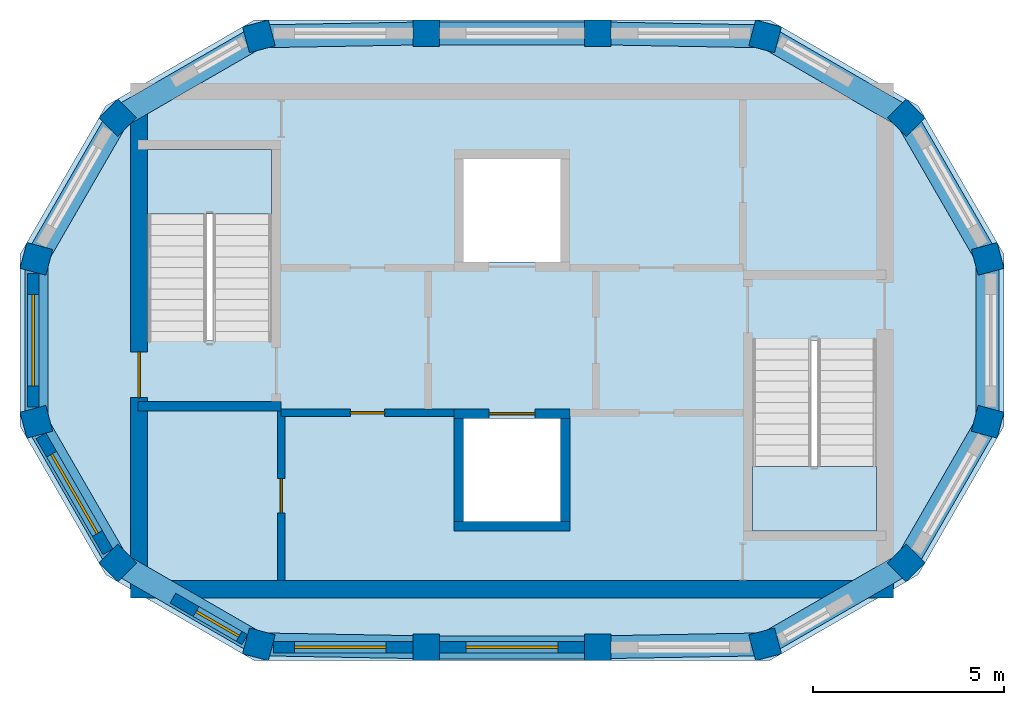
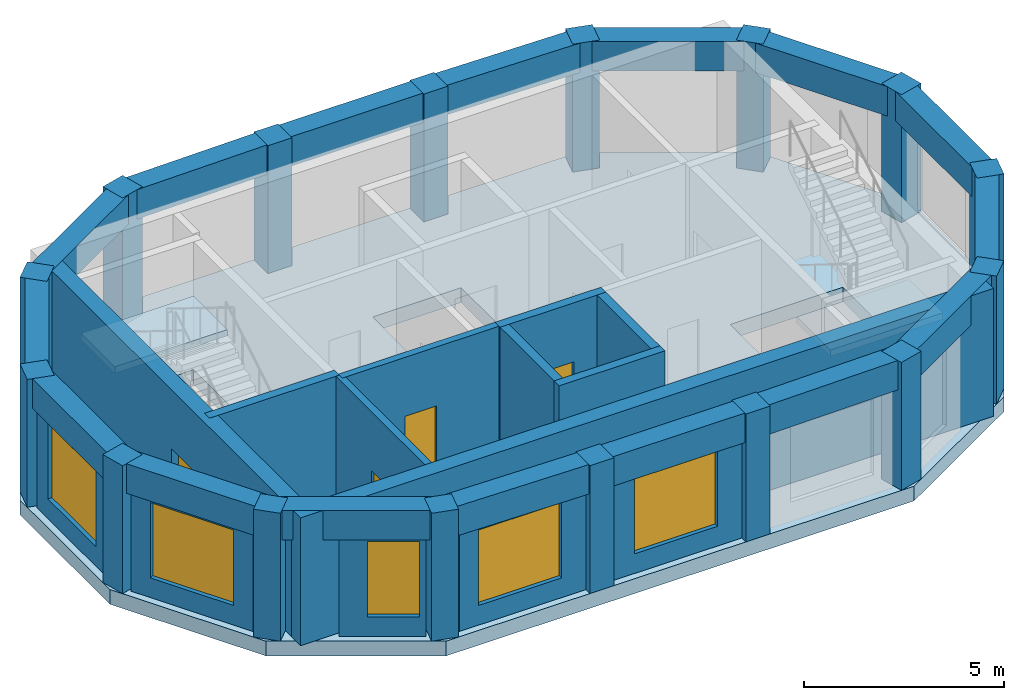
# One storey, part 1 of 4: 16 beams, 16 columns, 14 walls, 5 windows, 4 doors, 3 slabs, 9 openings, 2 elements without a shape of their own.
"""IFC4 building model written with IfcOpenShell, lengths in metres."""

from ifc_helpers import new_model, si_unit, direction, frame, frame_2d, origin, origin_2d, place, context, subcontext, project, spatial, polyline, rectangle, outline, extrude, material, layer, layer_set, material_profile, profile_set, type_object, element, fill, aggregate, save


model = new_model("IFC4")

# Units and contexts
model_context = context("Model", 3, precision=1e-05, world=origin(), true_north=direction((0.0, 1.0)))
body_context = subcontext(model_context, "Body", "Model", "MODEL_VIEW")
ifc_project = project(units=[si_unit("LENGTHUNIT", "METRE"), si_unit("AREAUNIT", "SQUARE_METRE"), si_unit("VOLUMEUNIT", "CUBIC_METRE"), si_unit("PLANEANGLEUNIT", "RADIAN"), si_unit("MASSUNIT", "GRAM", prefix="KILO")], contexts=[model_context])

# Site, building, storey
site_placement = place(None, origin())
site = spatial("IfcSite", under=ifc_project, at=site_placement, CompositionType="ELEMENT")
building_placement = place(site_placement, origin())
building = spatial("IfcBuilding", under=site, at=building_placement, Name="Dhurran Vertical Campus", CompositionType="ELEMENT")
storey_placement = place(building_placement, frame((0.0, 0.0, 336.89990234375)))
storey = spatial("IfcBuildingStorey", under=building, at=storey_placement, Name="L82 Plant", CompositionType="ELEMENT", Elevation=336.89990234375)

# Columns
ifc_material_1 = material(Name="Concrete C50/60", Category="concrete")
ifc_material_profile_1 = material_profile(ifc_material_1, rectangle(XDim=0.699951171875, YDim=0.699951171875, at=origin_2d()), Name="cr/col/R3")
ifc_profile_set_1 = profile_set([ifc_material_profile_1], Name="Concrete C50/60")
column_type = type_object("IfcColumnType", Name="cr/col/R3", PredefinedType="COLUMN", material=ifc_profile_set_1)
for number, where, z_axis, x_axis, name in (
    (1, (-6.635009765625, -7.968505859375, 0.0), (0.0, 0.0, 1.0), (0.965925826289, -0.258819045103, 0.0), "Crown column L82 1"),
    (2, (-2.25, -8.047119140625, 0.0), (0.0, 0.0, 1.0), (1.0, 0.0, 0.0), "Crown column L82 2"),
    (3, (2.25, -8.047119140625, 0.0), (0.0, 0.0, 1.0), (1.0, 0.0, 0.0), "Crown column L82 3"),
    (4, (6.635009765625, -7.968505859375, 0.0), (0.0, 0.0, 1.0), (0.965925826289, 0.258819045103, 0.0), "Crown column L82 4"),
    (5, (10.333251953125, -5.833251953125, 0.0), (0.0, 0.0, 1.0), (0.707106781187, 0.707106781187, 0.0), "Crown column L82 5"),
    (6, (12.468505859375, -2.135009765625, 0.0), (0.0, 0.0, 1.0), (0.258819045103, 0.965925826289, 0.0), "Crown column L82 6"),
    (7, (12.468505859375, 2.135009765625, 0.0), (0.0, 0.0, 1.0), (-0.258819045103, 0.965925826289, 0.0), "Crown column L82 7"),
    (8, (10.333251953125, 5.833251953125, 0.0), (0.0, 0.0, 1.0), (-0.707106781187, 0.707106781187, 0.0), "Crown column L82 8"),
    (9, (6.635009765625, 7.968505859375, 0.0), (0.0, 0.0, 1.0), (-0.965925826289, 0.258819045103, 0.0), "Crown column L82 9"),
    (10, (2.25, 8.047119140625, 0.0), (0.0, 0.0, 1.0), (-1.0, 0.0, 0.0), "Crown column L82 10"),
    (11, (-2.25, 8.047119140625, 0.0), (0.0, 0.0, 1.0), (-1.0, 0.0, 0.0), "Crown column L82 11"),
    (12, (-6.635009765625, 7.968505859375, 0.0), (0.0, 0.0, 1.0), (-0.965925826289, -0.258819045103, 0.0), "Crown column L82 12"),
    (13, (-10.333251953125, 5.833251953125, 0.0), (0.0, 0.0, 1.0), (-0.707106781187, -0.707106781187, 0.0), "Crown column L82 13"),
    (14, (-12.468505859375, 2.135009765625, 0.0), (0.0, 0.0, 1.0), (-0.258819045103, -0.965925826289, 0.0), "Crown column L82 14"),
    (15, (-12.468505859375, -2.135009765625, 0.0), (0.0, 0.0, 1.0), (0.258819045103, -0.965925826289, 0.0), "Crown column L82 15"),
    (16, (-10.333251953125, -5.833251953125, 0.0), (0.0, 0.0, 1.0), (0.707106781187, -0.707106781187, 0.0), "Crown column L82 16"),
):
    element("IfcColumn", number, at=place(storey_placement, frame(where, z_axis=z_axis, x_axis=x_axis)), inside=storey, type_object=column_type, Name=name, PredefinedType="COLUMN", context=body_context, shape_type="SweptSolid", body=[
        extrude(rectangle(XDim=0.699951171875, YDim=0.699951171875, at=origin_2d()), origin(), (0.0, 0.0, 1.0), 3.900146484375),
    ])

# Beams
ifc_material_2 = material(Name="Concrete C40/50", Category="concrete")
ifc_material_profile_2 = material_profile(ifc_material_2, rectangle(XDim=0.60009765625, YDim=0.89990234375, at=origin_2d()), Name="cr/beam/edge")
ifc_profile_set_2 = profile_set([ifc_material_profile_2], Name="Concrete C40/50")
beam_type = type_object("IfcBeamType", Name="cr/beam/edge", PredefinedType="BEAM", material=ifc_profile_set_2)
beam_1_placement = place(storey_placement, frame((-6.635009765625, -7.968505859375, 3.4501953125), z_axis=(0.999839336934, -0.017924851984, 0.0), x_axis=(0.017924851984, 0.999839336934, 0.0)))
element("IfcBeam", 17, at=beam_1_placement, inside=storey, type_object=beam_type, Name="Crown edge beam L82 1", PredefinedType="BEAM", context=body_context, shape_type="SweptSolid", body=[
    extrude(rectangle(XDim=0.60009765625, YDim=0.89990234375, at=origin_2d()), origin(), (0.0, 0.0, 1.0), 4.3857421875),
])
beam_2_placement = place(storey_placement, frame((-2.25, -8.047119140625, 3.4501953125), z_axis=(1.0, 0.0, 0.0), x_axis=(0.0, 1.0, 0.0)))
element("IfcBeam", 18, at=beam_2_placement, inside=storey, type_object=beam_type, Name="Crown edge beam L82 2", PredefinedType="BEAM", context=body_context, shape_type="SweptSolid", body=[
    extrude(rectangle(XDim=0.60009765625, YDim=0.89990234375, at=origin_2d()), origin(), (0.0, 0.0, 1.0), 4.5),
])
beam_3_placement = place(storey_placement, frame((2.25, -8.047119140625, 3.4501953125), z_axis=(0.999839336934, 0.017924851984, 0.0), x_axis=(-0.017924851984, 0.999839336934, 0.0)))
element("IfcBeam", 19, at=beam_3_placement, inside=storey, type_object=beam_type, Name="Crown edge beam L82 3", PredefinedType="BEAM", context=body_context, shape_type="SweptSolid", body=[
    extrude(rectangle(XDim=0.60009765625, YDim=0.89990234375, at=origin_2d()), origin(), (0.0, 0.0, 1.0), 4.3857421875),
])
for number, where, z_axis, x_axis, name in (
    (20, (6.635009765625, -7.968505859375, 3.4501953125), (0.866018023513, 0.500012782786, 0.0), (-0.500012782786, 0.866018023513, 0.0), "Crown edge beam L82 4"),
    (21, (10.333251953125, -5.833251953125, 3.4501953125), (0.500012782786, 0.866018023513, 0.0), (-0.866018023513, 0.500012782786, 0.0), "Crown edge beam L82 5"),
):
    element("IfcBeam", number, at=place(storey_placement, frame(where, z_axis=z_axis, x_axis=x_axis)), inside=storey, type_object=beam_type, Name=name, PredefinedType="BEAM", context=body_context, shape_type="SweptSolid", body=[
        extrude(rectangle(XDim=0.60009765625, YDim=0.89990234375, at=origin_2d()), origin(), (0.0, 0.0, 1.0), 4.2705078125),
    ])
beam_4_placement = place(storey_placement, frame((12.468505859375, -2.135009765625, 3.4501953125), z_axis=(0.0, 1.0, 0.0), x_axis=(-1.0, 0.0, 0.0)))
element("IfcBeam", 22, at=beam_4_placement, inside=storey, type_object=beam_type, Name="Crown edge beam L82 6", PredefinedType="BEAM", context=body_context, shape_type="SweptSolid", body=[
    extrude(rectangle(XDim=0.60009765625, YDim=0.89990234375, at=origin_2d()), origin(), (0.0, 0.0, 1.0), 4.27001953125),
])
for number, where, z_axis, x_axis, name in (
    (23, (12.468505859375, 2.135009765625, 3.4501953125), (-0.500012782786, 0.866018023513, 0.0), (-0.866018023513, -0.500012782786, 0.0), "Crown edge beam L82 7"),
    (24, (10.333251953125, 5.833251953125, 3.4501953125), (-0.866018023513, 0.500012782786, 0.0), (-0.500012782786, -0.866018023513, 0.0), "Crown edge beam L82 8"),
):
    element("IfcBeam", number, at=place(storey_placement, frame(where, z_axis=z_axis, x_axis=x_axis)), inside=storey, type_object=beam_type, Name=name, PredefinedType="BEAM", context=body_context, shape_type="SweptSolid", body=[
        extrude(rectangle(XDim=0.60009765625, YDim=0.89990234375, at=origin_2d()), origin(), (0.0, 0.0, 1.0), 4.2705078125),
    ])
beam_5_placement = place(storey_placement, frame((6.635009765625, 7.968505859375, 3.4501953125), z_axis=(-0.999839336934, 0.017924851984, 0.0), x_axis=(-0.017924851984, -0.999839336934, 0.0)))
element("IfcBeam", 25, at=beam_5_placement, inside=storey, type_object=beam_type, Name="Crown edge beam L82 9", PredefinedType="BEAM", context=body_context, shape_type="SweptSolid", body=[
    extrude(rectangle(XDim=0.60009765625, YDim=0.89990234375, at=origin_2d()), origin(), (0.0, 0.0, 1.0), 4.3857421875),
])
beam_6_placement = place(storey_placement, frame((2.25, 8.047119140625, 3.4501953125), z_axis=(-1.0, 0.0, 0.0), x_axis=(0.0, -1.0, 0.0)))
element("IfcBeam", 26, at=beam_6_placement, inside=storey, type_object=beam_type, Name="Crown edge beam L82 10", PredefinedType="BEAM", context=body_context, shape_type="SweptSolid", body=[
    extrude(rectangle(XDim=0.60009765625, YDim=0.89990234375, at=origin_2d()), origin(), (0.0, 0.0, 1.0), 4.5),
])
beam_7_placement = place(storey_placement, frame((-2.25, 8.047119140625, 3.4501953125), z_axis=(-0.999839336934, -0.017924851984, 0.0), x_axis=(0.017924851984, -0.999839336934, 0.0)))
element("IfcBeam", 27, at=beam_7_placement, inside=storey, type_object=beam_type, Name="Crown edge beam L82 11", PredefinedType="BEAM", context=body_context, shape_type="SweptSolid", body=[
    extrude(rectangle(XDim=0.60009765625, YDim=0.89990234375, at=origin_2d()), origin(), (0.0, 0.0, 1.0), 4.3857421875),
])
for number, where, z_axis, x_axis, name in (
    (28, (-6.635009765625, 7.968505859375, 3.4501953125), (-0.866018023513, -0.500012782786, 0.0), (0.500012782786, -0.866018023513, 0.0), "Crown edge beam L82 12"),
    (29, (-10.333251953125, 5.833251953125, 3.4501953125), (-0.500012782786, -0.866018023513, 0.0), (0.866018023513, -0.500012782786, 0.0), "Crown edge beam L82 13"),
):
    element("IfcBeam", number, at=place(storey_placement, frame(where, z_axis=z_axis, x_axis=x_axis)), inside=storey, type_object=beam_type, Name=name, PredefinedType="BEAM", context=body_context, shape_type="SweptSolid", body=[
        extrude(rectangle(XDim=0.60009765625, YDim=0.89990234375, at=origin_2d()), origin(), (0.0, 0.0, 1.0), 4.2705078125),
    ])
beam_8_placement = place(storey_placement, frame((-12.468505859375, 2.135009765625, 3.4501953125), z_axis=(0.0, -1.0, 0.0), x_axis=(1.0, 0.0, 0.0)))
element("IfcBeam", 30, at=beam_8_placement, inside=storey, type_object=beam_type, Name="Crown edge beam L82 14", PredefinedType="BEAM", context=body_context, shape_type="SweptSolid", body=[
    extrude(rectangle(XDim=0.60009765625, YDim=0.89990234375, at=origin_2d()), origin(), (0.0, 0.0, 1.0), 4.27001953125),
])
for number, where, z_axis, x_axis, name in (
    (31, (-12.468505859375, -2.135009765625, 3.4501953125), (0.500012782786, -0.866018023513, 0.0), (0.866018023513, 0.500012782786, 0.0), "Crown edge beam L82 15"),
    (32, (-10.333251953125, -5.833251953125, 3.4501953125), (0.866018023513, -0.500012782786, 0.0), (0.500012782786, 0.866018023513, 0.0), "Crown edge beam L82 16"),
):
    element("IfcBeam", number, at=place(storey_placement, frame(where, z_axis=z_axis, x_axis=x_axis)), inside=storey, type_object=beam_type, Name=name, PredefinedType="BEAM", context=body_context, shape_type="SweptSolid", body=[
        extrude(rectangle(XDim=0.60009765625, YDim=0.89990234375, at=origin_2d()), origin(), (0.0, 0.0, 1.0), 4.2705078125),
    ])

# Stair, slab
ifc_material_3 = material(Name="Concrete C40/50", Category="concrete")
stair_type = type_object("IfcStairType", Name="co-ST-CORE", PredefinedType="HALF_TURN_STAIR", material=ifc_material_3)
stair_1_placement = place(storey_placement, origin())
stair_1 = element("IfcStair", 33, at=stair_1_placement, inside=storey, type_object=stair_type, Name="L82 Plant Protected exit stair ST5", PredefinedType="HALF_TURN_STAIR")
ifc_material_4 = material(Name="Concrete C40/50", Category="concrete")
ifc_layer_1 = layer(ifc_material_4, 0.199951171875)
ifc_layer_set_1 = layer_set([ifc_layer_1], Name="Concrete C40/50")
slab_type_1 = type_object("IfcSlabType", Name="co-SL-LANDING", PredefinedType="LANDING", material=ifc_layer_set_1)
slab_1_placement = place(storey_placement, frame((0.0, 0.0, 2.050048828125)))
slab_1 = element("IfcSlab", 34, at=slab_1_placement, type_object=slab_type_1, Name="ST5 landing 1", PredefinedType="LANDING", context=body_context, shape_type="SweptSolid", body=[
    extrude(outline(polyline([(-6.300048828125, 3.31005859375), (-6.300048828125, 5.0), (-9.550048828125, 5.0), (-9.550048828125, 3.31005859375), (-6.300048828125, 3.31005859375)])), origin(), (0.0, 0.0, 1.0), 0.199951171875),
])
aggregate(stair_1, [slab_1])

stair_2_placement = place(storey_placement, origin())
stair_2 = element("IfcStair", 35, at=stair_2_placement, inside=storey, type_object=stair_type, Name="L82 Plant Protected exit stair ST6", PredefinedType="HALF_TURN_STAIR")
slab_2_placement = place(storey_placement, frame((0.0, 0.0, 2.050048828125)))
slab_2 = element("IfcSlab", 36, at=slab_2_placement, type_object=slab_type_1, Name="ST6 landing 1", PredefinedType="LANDING", context=body_context, shape_type="SweptSolid", body=[
    extrude(outline(polyline([(6.300048828125, -3.31005859375), (6.300048828125, -5.0), (9.550048828125, -5.0), (9.550048828125, -3.31005859375), (6.300048828125, -3.31005859375)])), origin(), (0.0, 0.0, 1.0), 0.199951171875),
])
aggregate(stair_2, [slab_2])

# Slab
ifc_material_5 = material(Name="Concrete C40/50", Category="concrete")
ifc_layer_2 = layer(ifc_material_5, 0.449951171875)
ifc_layer_set_2 = layer_set([ifc_layer_2], Name="Concrete C40/50")
slab_type_2 = type_object("IfcSlabType", Name="cr/slab/floor", PredefinedType="FLOOR", material=ifc_layer_set_2)
slab_3_placement = place(storey_placement, frame((0.0, 0.0, -0.449951171875)))
element("IfcSlab", 37, at=slab_3_placement, inside=storey, type_object=slab_type_2, Name="Crown slab L82", PredefinedType="FLOOR", context=body_context, shape_type="SweptSolid", body=[
    extrude(outline(polyline([(-6.75, -8.39697265625), (6.75, -8.39697265625), (10.64697265625, -6.14697265625), (12.89697265625, -2.25), (12.89697265625, 2.25), (10.64697265625, 6.14697265625), (6.75, 8.39697265625), (-6.75, 8.39697265625), (-10.64697265625, 6.14697265625), (-12.89697265625, 2.25), (-12.89697265625, -2.25), (-10.64697265625, -6.14697265625), (-6.75, -8.39697265625)]), holes=[polyline([(-1.27490234375, 4.75), (1.27490234375, 4.75), (1.27490234375, 2.050048828125), (-1.27490234375, 2.050048828125), (-1.27490234375, 4.75)]), polyline([(-1.27490234375, -2.050048828125), (1.27490234375, -2.050048828125), (1.27490234375, -4.75), (-1.27490234375, -4.75), (-1.27490234375, -2.050048828125)]), polyline([(-9.550048828125, 5.0), (-6.300048828125, 5.0), (-6.300048828125, 0.0), (-9.550048828125, 0.0), (-9.550048828125, 5.0)]), polyline([(6.300048828125, 0.0), (9.550048828125, 0.0), (9.550048828125, -5.0), (6.300048828125, -5.0), (6.300048828125, 0.0)])]), origin(), (0.0, 0.0, 1.0), 0.449951171875),
])

# Wall, opening, window
ifc_material_6 = material(Name="Precast concrete C50/60", Category="concrete")
ifc_layer_3 = layer(ifc_material_6, 0.300048828125)
ifc_layer_set_3 = layer_set([ifc_layer_3], Name="Precast concrete C50/60")
wall_type_1 = type_object("IfcWallType", Name="Precast louvre-bay wall 300", PredefinedType="SOLIDWALL", material=ifc_layer_set_3)
wall_1_placement = place(storey_placement, frame((-6.25341796875, -8.047119140625, 0.0), z_axis=(0.0, 0.0, 1.0), x_axis=(1.0, 0.0, 0.0)))
wall_1 = element("IfcWall", 38, at=wall_1_placement, inside=storey, type_object=wall_type_1, Name="EW3 L82.00", PredefinedType="SOLIDWALL", context=body_context, shape_type="SweptSolid", body=[
    extrude(rectangle(XDim=3.65283203125, YDim=0.300048828125, at=frame_2d((1.826416015625, 0.0))), origin(), (0.0, 0.0, 1.0), 3.0),
])
opening_1_placement = place(wall_1_placement, frame((0.553466796875, 0.0, 0.60009765625)))
opening_1 = element("IfcOpeningElement", 39, at=opening_1_placement, cuts=wall_1, Name="Opening WT4", PredefinedType="OPENING", context=body_context, shape_type="SweptSolid", body=[
    extrude(rectangle(XDim=2.39990234375, YDim=2.300048828125, at=frame_2d((1.199951171875, 1.14990234375))), frame((0.0, 0.159912109375, 0.0), z_axis=(0.0, -1.0, 0.0), x_axis=(1.0, 0.0, 0.0)), (0.0, 0.0, 1.0), 0.320068359375),
])
ifc_material_7 = material(Name="Aluminium louvre", Category="aluminium")
window_type_1 = type_object("IfcWindowType", Name="Louvred plant vent 2400 x 2300", PartitioningType="SINGLE_PANEL", PredefinedType="WINDOW", material=ifc_material_7)
window_1_placement = place(opening_1_placement, origin())
window_1 = element("IfcWindow", 40, at=window_1_placement, inside=storey, type_object=window_type_1, Name="WT4 L82.00", OverallHeight=2.300048828125, OverallWidth=2.39990234375, PartitioningType="SINGLE_PANEL", PredefinedType="WINDOW", context=body_context, shape_type="SweptSolid", body=[
    extrude(rectangle(XDim=2.39990234375, YDim=2.300048828125, at=frame_2d((1.199951171875, 1.14990234375))), frame((0.0, 0.030029296875, 0.0), z_axis=(0.0, -1.0, 0.0), x_axis=(1.0, 0.0, 0.0)), (0.0, 0.0, 1.0), 0.06005859375),
])
fill(opening_1, window_1)

wall_2_placement = place(storey_placement, frame((-1.8994140625, -8.047119140625, 0.0), z_axis=(0.0, 0.0, 1.0), x_axis=(1.0, 0.0, 0.0)))
wall_2 = element("IfcWall", 41, at=wall_2_placement, inside=storey, type_object=wall_type_1, Name="EW3 L82.01", PredefinedType="SOLIDWALL", context=body_context, shape_type="SweptSolid", body=[
    extrude(rectangle(XDim=3.798828125, YDim=0.300048828125, at=frame_2d((1.8994140625, 0.0))), origin(), (0.0, 0.0, 1.0), 3.0),
])
opening_2_placement = place(wall_2_placement, frame((0.699462890625, 0.0, 0.60009765625)))
opening_2 = element("IfcOpeningElement", 42, at=opening_2_placement, cuts=wall_2, Name="Opening WT4", PredefinedType="OPENING", context=body_context, shape_type="SweptSolid", body=[
    extrude(rectangle(XDim=2.39990234375, YDim=2.300048828125, at=frame_2d((1.199951171875, 1.14990234375))), frame((0.0, 0.159912109375, 0.0), z_axis=(0.0, -1.0, 0.0), x_axis=(1.0, 0.0, 0.0)), (0.0, 0.0, 1.0), 0.320068359375),
])
window_2_placement = place(opening_2_placement, origin())
window_2 = element("IfcWindow", 43, at=window_2_placement, inside=storey, type_object=window_type_1, Name="WT4 L82.01", OverallHeight=2.300048828125, OverallWidth=2.39990234375, PartitioningType="SINGLE_PANEL", PredefinedType="WINDOW", context=body_context, shape_type="SweptSolid", body=[
    extrude(rectangle(XDim=2.39990234375, YDim=2.300048828125, at=frame_2d((1.199951171875, 1.14990234375))), frame((0.0, 0.030029296875, 0.0), z_axis=(0.0, -1.0, 0.0), x_axis=(1.0, 0.0, 0.0)), (0.0, 0.0, 1.0), 0.06005859375),
])
fill(opening_2, window_2)

wall_3_placement = place(storey_placement, frame((-12.547119140625, 1.75341796875, 0.0), z_axis=(0.0, 0.0, 1.0), x_axis=(0.0, -1.0, 0.0)))
wall_3 = element("IfcWall", 44, at=wall_3_placement, inside=storey, type_object=wall_type_1, Name="EW3 L82.13", PredefinedType="SOLIDWALL", context=body_context, shape_type="SweptSolid", body=[
    extrude(rectangle(XDim=3.5068359375, YDim=0.300048828125, at=frame_2d((1.75341796875, 0.0))), origin(), (0.0, 0.0, 1.0), 3.0),
])
opening_3_placement = place(wall_3_placement, frame((0.553466796875, 0.0, 0.60009765625)))
opening_3 = element("IfcOpeningElement", 45, at=opening_3_placement, cuts=wall_3, Name="Opening WT4", PredefinedType="OPENING", context=body_context, shape_type="SweptSolid", body=[
    extrude(rectangle(XDim=2.39990234375, YDim=2.300048828125, at=frame_2d((1.199951171875, 1.14990234375))), frame((0.0, 0.159912109375, 0.0), z_axis=(0.0, -1.0, 0.0), x_axis=(1.0, 0.0, 0.0)), (0.0, 0.0, 1.0), 0.320068359375),
])
window_3_placement = place(opening_3_placement, origin())
window_3 = element("IfcWindow", 46, at=window_3_placement, inside=storey, type_object=window_type_1, Name="WT4 L82.13", OverallHeight=2.300048828125, OverallWidth=2.39990234375, PartitioningType="SINGLE_PANEL", PredefinedType="WINDOW", context=body_context, shape_type="SweptSolid", body=[
    extrude(rectangle(XDim=2.39990234375, YDim=2.300048828125, at=frame_2d((1.199951171875, 1.14990234375))), frame((0.0, 0.030029296875, 0.0), z_axis=(0.0, -1.0, 0.0), x_axis=(1.0, 0.0, 0.0)), (0.0, 0.0, 1.0), 0.06005859375),
])
fill(opening_3, window_3)

wall_4_placement = place(storey_placement, frame((-12.345703125, -2.5048828125, 0.0), z_axis=(0.0, 0.0, 1.0), x_axis=(0.499987607361, -0.86603255856, 0.0)))
wall_4 = element("IfcWall", 47, at=wall_4_placement, inside=storey, type_object=wall_type_1, Name="EW3 L82.14", PredefinedType="SOLIDWALL", context=body_context, shape_type="SweptSolid", body=[
    extrude(rectangle(XDim=3.5068359375, YDim=0.300048828125, at=frame_2d((1.75341796875, 0.0))), origin(), (0.0, 0.0, 1.0), 3.0),
])
opening_4_placement = place(wall_4_placement, frame((0.553466796875, 0.0, 0.60009765625)))
opening_4 = element("IfcOpeningElement", 48, at=opening_4_placement, cuts=wall_4, Name="Opening WT4", PredefinedType="OPENING", context=body_context, shape_type="SweptSolid", body=[
    extrude(rectangle(XDim=2.39990234375, YDim=2.300048828125, at=frame_2d((1.199951171875, 1.14990234375))), frame((0.0, 0.159912109375, 0.0), z_axis=(0.0, -1.0, 0.0), x_axis=(1.0, 0.0, 0.0)), (0.0, 0.0, 1.0), 0.320068359375),
])
window_4_placement = place(opening_4_placement, origin())
window_4 = element("IfcWindow", 49, at=window_4_placement, inside=storey, type_object=window_type_1, Name="WT4 L82.14", OverallHeight=2.300048828125, OverallWidth=2.39990234375, PartitioningType="SINGLE_PANEL", PredefinedType="WINDOW", context=body_context, shape_type="SweptSolid", body=[
    extrude(rectangle(XDim=2.39990234375, YDim=2.300048828125, at=frame_2d((1.199951171875, 1.14990234375))), frame((0.0, 0.030029296875, 0.0), z_axis=(0.0, -1.0, 0.0), x_axis=(1.0, 0.0, 0.0)), (0.0, 0.0, 1.0), 0.06005859375),
])
fill(opening_4, window_4)

wall_5_placement = place(storey_placement, frame((-8.889892578125, -6.757568359375, 0.0), z_axis=(0.0, 0.0, 1.0), x_axis=(0.866060442015, -0.499939307093, 0.0)))
wall_5 = element("IfcWall", 50, at=wall_5_placement, inside=storey, type_object=wall_type_1, Name="EW3 L82.15", PredefinedType="SOLIDWALL", context=body_context, shape_type="SweptSolid", body=[
    extrude(rectangle(XDim=2.176513671875, YDim=0.300048828125, at=frame_2d((1.08837890625, 0.0))), origin(), (0.0, 0.0, 1.0), 3.0),
])
opening_5_placement = place(wall_5_placement, frame((0.7041015625, 0.0, 0.60009765625)))
opening_5 = element("IfcOpeningElement", 51, at=opening_5_placement, cuts=wall_5, Name="Opening WT4", PredefinedType="OPENING", context=body_context, shape_type="SweptSolid", body=[
    extrude(rectangle(XDim=1.300048828125, YDim=2.300048828125, at=frame_2d((0.64990234375, 1.14990234375))), frame((0.0, 0.159912109375, 0.0), z_axis=(0.0, -1.0, 0.0), x_axis=(1.0, 0.0, 0.0)), (0.0, 0.0, 1.0), 0.320068359375),
])
ifc_material_8 = material(Name="Aluminium louvre", Category="aluminium")
window_type_2 = type_object("IfcWindowType", Name="Louvred plant vent 1300 x 2300", PartitioningType="SINGLE_PANEL", PredefinedType="WINDOW", material=ifc_material_8)
window_5_placement = place(opening_5_placement, origin())
window_5 = element("IfcWindow", 52, at=window_5_placement, inside=storey, type_object=window_type_2, Name="WT4 L82.15", OverallHeight=2.300048828125, OverallWidth=1.300048828125, PartitioningType="SINGLE_PANEL", PredefinedType="WINDOW", context=body_context, shape_type="SweptSolid", body=[
    extrude(rectangle(XDim=1.300048828125, YDim=2.300048828125, at=frame_2d((0.64990234375, 1.14990234375))), frame((0.0, 0.030029296875, 0.0), z_axis=(0.0, -1.0, 0.0), x_axis=(1.0, 0.0, 0.0)), (0.0, 0.0, 1.0), 0.06005859375),
])
fill(opening_5, window_5)

# Wall
ifc_material_9 = material(Name="Concrete C50/60", Category="concrete")
ifc_layer_4 = layer(ifc_material_9, 0.449951171875)
ifc_layer_set_4 = layer_set([ifc_layer_4], Name="Concrete C50/60")
wall_type_2 = type_object("IfcWallType", Name="co-CORE-WALL-C4-450", PredefinedType="SHEAR", material=ifc_layer_set_4)
wall_6_placement = place(storey_placement, frame((-10.0, -6.52490234375, 0.0), z_axis=(0.0, 0.0, 1.0), x_axis=(1.0, 0.0, 0.0)))
element("IfcWall", 53, at=wall_6_placement, inside=storey, type_object=wall_type_2, Name="Core wall S L82", PredefinedType="SHEAR", context=body_context, shape_type="SweptSolid", body=[
    extrude(rectangle(XDim=20.0, YDim=0.449951171875, at=frame_2d((10.0, 0.0))), origin(), (0.0, 0.0, 1.0), 3.900146484375),
])

# Wall, opening, door
wall_7_placement = place(storey_placement, frame((-9.77490234375, -6.300048828125, 0.0), z_axis=(0.0, 0.0, 1.0), x_axis=(0.0, 1.0, 0.0)))
wall_7 = element("IfcWall", 54, at=wall_7_placement, inside=storey, type_object=wall_type_2, Name="Core wall W L82", PredefinedType="SHEAR", context=body_context, shape_type="SweptSolid", body=[
    extrude(rectangle(XDim=12.60009765625, YDim=0.449951171875, at=frame_2d((6.300048828125, 0.0))), origin(), (0.0, 0.0, 1.0), 3.900146484375),
])
opening_6_placement = place(wall_7_placement, frame((4.800048828125, 0.0, 0.0)))
opening_6 = element("IfcOpeningElement", 55, at=opening_6_placement, cuts=wall_7, Name="Opening XD5", PredefinedType="OPENING", context=body_context, shape_type="SweptSolid", body=[
    extrude(rectangle(XDim=1.199951171875, YDim=2.10009765625, at=frame_2d((0.60009765625, 1.050048828125))), frame((0.0, 0.23486328125, 0.0), z_axis=(0.0, -1.0, 0.0), x_axis=(1.0, 0.0, 0.0)), (0.0, 0.0, 1.0), 0.469970703125),
])
ifc_material_10 = material(Name="Fire-rated steel door set", Category="steel")
door_type_1 = type_object("IfcDoorType", Name="co-D-STAIR-EXIT 1200x2100", OperationType="SINGLE_SWING_RIGHT", PredefinedType="DOOR", material=ifc_material_10)
door_1_placement = place(opening_6_placement, origin())
door_1 = element("IfcDoor", 56, at=door_1_placement, inside=storey, type_object=door_type_1, Name="Stair ST5 exit door L82", OperationType="SINGLE_SWING_RIGHT", OverallHeight=2.10009765625, OverallWidth=1.199951171875, PredefinedType="DOOR", context=body_context, shape_type="SweptSolid", body=[
    extrude(rectangle(XDim=1.199951171875, YDim=2.10009765625, at=frame_2d((0.60009765625, 1.050048828125))), frame((0.0, 0.02490234375, 0.0), z_axis=(0.0, -1.0, 0.0), x_axis=(1.0, 0.0, 0.0)), (0.0, 0.0, 1.0), 0.050048828125),
])
fill(opening_6, door_1)

ifc_material_11 = material(Name="Fire-rated masonry blockwork", Category="masonry")
ifc_layer_5 = layer(ifc_material_11, 0.199951171875)
ifc_layer_set_5 = layer_set([ifc_layer_5], Name="Fire-rated masonry blockwork")
wall_type_3 = type_object("IfcWallType", Name="co-FIRE-PARTITION-200", PredefinedType="PARTITIONING", material=ifc_layer_set_5)
wall_8_placement = place(storey_placement, frame((-6.050048828125, -1.89990234375, 0.0), z_axis=(0.0, 0.0, 1.0), x_axis=(1.0, 0.0, 0.0)))
wall_8 = element("IfcWall", 57, at=wall_8_placement, inside=storey, type_object=wall_type_3, Name="Core partition swa-f L82", PredefinedType="PARTITIONING", context=body_context, shape_type="SweptSolid", body=[
    extrude(rectangle(XDim=4.525146484375, YDim=0.199951171875, at=frame_2d((2.2626953125, 0.0))), origin(), (0.0, 0.0, 1.0), 3.900146484375),
])
opening_7_placement = place(wall_8_placement, frame((1.8125, 0.0, 0.0)))
opening_7 = element("IfcOpeningElement", 58, at=opening_7_placement, cuts=wall_8, Name="Opening CR82-C2", PredefinedType="OPENING", context=body_context, shape_type="SweptSolid", body=[
    extrude(rectangle(XDim=0.89990234375, YDim=2.10009765625, at=frame_2d((0.449951171875, 1.050048828125))), frame((0.0, 0.10986328125, 0.0), z_axis=(0.0, -1.0, 0.0), x_axis=(1.0, 0.0, 0.0)), (0.0, 0.0, 1.0), 0.219970703125),
])
ifc_material_12 = material(Name="Fire-rated timber door set", Category="wood")
door_type_2 = type_object("IfcDoorType", Name="co-D-ROOM 900x2100", OperationType="SINGLE_SWING_LEFT", PredefinedType="DOOR", material=ifc_material_12)
door_2_placement = place(opening_7_placement, origin())
door_2 = element("IfcDoor", 59, at=door_2_placement, inside=storey, type_object=door_type_2, Name="swa door L82", OperationType="SINGLE_SWING_LEFT", OverallHeight=2.10009765625, OverallWidth=0.89990234375, PredefinedType="DOOR", context=body_context, shape_type="SweptSolid", body=[
    extrude(rectangle(XDim=0.89990234375, YDim=2.10009765625, at=frame_2d((0.449951171875, 1.050048828125))), frame((0.0, 0.02490234375, 0.0), z_axis=(0.0, -1.0, 0.0), x_axis=(1.0, 0.0, 0.0)), (0.0, 0.0, 1.0), 0.050048828125),
])
fill(opening_7, door_2)

wall_9_placement = place(storey_placement, frame((-6.050048828125, -6.300048828125, 0.0), z_axis=(0.0, 0.0, 1.0), x_axis=(0.0, 1.0, 0.0)))
wall_9 = element("IfcWall", 60, at=wall_9_placement, inside=storey, type_object=wall_type_3, Name="Core partition bws-d L82", PredefinedType="PARTITIONING", context=body_context, shape_type="SweptSolid", body=[
    extrude(rectangle(XDim=4.449951171875, YDim=0.199951171875, at=frame_2d((2.22509765625, 0.0))), origin(), (0.0, 0.0, 1.0), 3.900146484375),
])
opening_8_placement = place(wall_9_placement, frame((1.77490234375, 0.0, 0.0)))
opening_8 = element("IfcOpeningElement", 61, at=opening_8_placement, cuts=wall_9, Name="Opening CR82-C6", PredefinedType="OPENING", context=body_context, shape_type="SweptSolid", body=[
    extrude(rectangle(XDim=0.89990234375, YDim=2.10009765625, at=frame_2d((0.449951171875, 1.050048828125))), frame((0.0, 0.10986328125, 0.0), z_axis=(0.0, -1.0, 0.0), x_axis=(1.0, 0.0, 0.0)), (0.0, 0.0, 1.0), 0.219970703125),
])
door_3_placement = place(opening_8_placement, origin())
door_3 = element("IfcDoor", 62, at=door_3_placement, inside=storey, type_object=door_type_2, Name="Plant room door L82", OperationType="SINGLE_SWING_LEFT", OverallHeight=2.10009765625, OverallWidth=0.89990234375, PredefinedType="DOOR", context=body_context, shape_type="SweptSolid", body=[
    extrude(rectangle(XDim=0.89990234375, YDim=2.10009765625, at=frame_2d((0.449951171875, 1.050048828125))), frame((0.0, 0.02490234375, 0.0), z_axis=(0.0, -1.0, 0.0), x_axis=(1.0, 0.0, 0.0)), (0.0, 0.0, 1.0), 0.050048828125),
])
fill(opening_8, door_3)

ifc_material_13 = material(Name="Concrete C50/60", Category="concrete")
ifc_layer_6 = layer(ifc_material_13, 0.25)
ifc_layer_set_6 = layer_set([ifc_layer_6], Name="Concrete C50/60")
wall_type_4 = type_object("IfcWallType", Name="co-SHAFT-FRONT-250", PredefinedType="SHEAR", material=ifc_layer_set_6)
wall_10_placement = place(storey_placement, frame((-1.52490234375, -1.925048828125, 0.0), z_axis=(0.0, 0.0, 1.0), x_axis=(1.0, 0.0, 0.0)))
wall_10 = element("IfcWall", 63, at=wall_10_placement, inside=storey, type_object=wall_type_4, Name="Lift landing wall S L82", PredefinedType="SHEAR", context=body_context, shape_type="SweptSolid", body=[
    extrude(rectangle(XDim=3.0498046875, YDim=0.25, at=frame_2d((1.52490234375, 0.0))), origin(), (0.0, 0.0, 1.0), 3.900146484375),
])
opening_9_placement = place(wall_10_placement, frame((0.925048828125, 0.0, 0.0)))
opening_9 = element("IfcOpeningElement", 64, at=opening_9_placement, cuts=wall_10, Name="Opening LD", PredefinedType="OPENING", context=body_context, shape_type="SweptSolid", body=[
    extrude(rectangle(XDim=1.199951171875, YDim=2.10009765625, at=frame_2d((0.60009765625, 1.050048828125))), frame((0.0, 0.135009765625, 0.0), z_axis=(0.0, -1.0, 0.0), x_axis=(1.0, 0.0, 0.0)), (0.0, 0.0, 1.0), 0.27001953125),
])
ifc_material_14 = material(Name="Stainless steel landing door", Category="steel")
door_type_3 = type_object("IfcDoorType", Name="co-D-LANDING 1200x2100", OperationType="DOUBLE_DOOR_SLIDING", PredefinedType="DOOR", material=ifc_material_14)
door_4_placement = place(opening_9_placement, origin())
door_4 = element("IfcDoor", 65, at=door_4_placement, inside=storey, type_object=door_type_3, Name="Landing door FF2 L82", OperationType="DOUBLE_DOOR_SLIDING", OverallHeight=2.10009765625, OverallWidth=1.199951171875, PredefinedType="DOOR", context=body_context, shape_type="SweptSolid", body=[
    extrude(rectangle(XDim=1.199951171875, YDim=2.10009765625, at=frame_2d((0.60009765625, 1.050048828125))), frame((0.0, 0.02490234375, 0.0), z_axis=(0.0, -1.0, 0.0), x_axis=(1.0, 0.0, 0.0)), (0.0, 0.0, 1.0), 0.050048828125),
])
fill(opening_9, door_4)

# Walls
ifc_material_15 = material(Name="Concrete C50/60", Category="concrete")
ifc_layer_7 = layer(ifc_material_15, 0.25)
ifc_layer_set_7 = layer_set([ifc_layer_7], Name="Concrete C50/60")
wall_type_5 = type_object("IfcWallType", Name="co-SHAFT-MASS-250", PredefinedType="SHEAR", material=ifc_layer_set_7)
wall_11_placement = place(storey_placement, origin())
element("IfcWall", 66, at=wall_11_placement, inside=storey, type_object=wall_type_5, Name="Lift shaft wall S L82 1", PredefinedType="SHEAR", context=body_context, shape_type="SweptSolid", body=[
    extrude(outline(polyline([(-1.52490234375, -5.0), (1.52490234375, -5.0), (1.52490234375, -4.75), (-1.52490234375, -4.75), (-1.52490234375, -5.0)])), origin(), (0.0, 0.0, 1.0), 3.900146484375),
])
wall_12_placement = place(storey_placement, origin())
element("IfcWall", 67, at=wall_12_placement, inside=storey, type_object=wall_type_5, Name="Lift shaft wall S L82 2", PredefinedType="SHEAR", context=body_context, shape_type="SweptSolid", body=[
    extrude(outline(polyline([(-1.52490234375, -4.75), (-1.27490234375, -4.75), (-1.27490234375, -2.050048828125), (-1.52490234375, -2.050048828125), (-1.52490234375, -4.75)])), origin(), (0.0, 0.0, 1.0), 3.900146484375),
])
wall_13_placement = place(storey_placement, origin())
element("IfcWall", 68, at=wall_13_placement, inside=storey, type_object=wall_type_5, Name="Lift shaft wall S L82 3", PredefinedType="SHEAR", context=body_context, shape_type="SweptSolid", body=[
    extrude(outline(polyline([(1.27490234375, -4.75), (1.52490234375, -4.75), (1.52490234375, -2.050048828125), (1.27490234375, -2.050048828125), (1.27490234375, -4.75)])), origin(), (0.0, 0.0, 1.0), 3.900146484375),
])
ifc_material_16 = material(Name="Concrete C40/50", Category="concrete")
ifc_layer_8 = layer(ifc_material_16, 0.25)
ifc_layer_set_8 = layer_set([ifc_layer_8], Name="Concrete C40/50")
wall_type_6 = type_object("IfcWallType", Name="co-STAIR-WALL-250", PredefinedType="SHEAR", material=ifc_layer_set_8)
wall_14_placement = place(storey_placement, frame((-9.800048828125, -1.72509765625, 0.0), z_axis=(0.0, 0.0, 1.0), x_axis=(1.0, 0.0, 0.0)))
element("IfcWall", 69, at=wall_14_placement, inside=storey, type_object=wall_type_6, Name="Stair ST5 enclosure wall L82", PredefinedType="SHEAR", context=body_context, shape_type="SweptSolid", body=[
    extrude(rectangle(XDim=3.75, YDim=0.25, at=frame_2d((1.875, 0.0))), origin(), (0.0, 0.0, 1.0), 3.900146484375),
])

save(model, "model.ifc")
